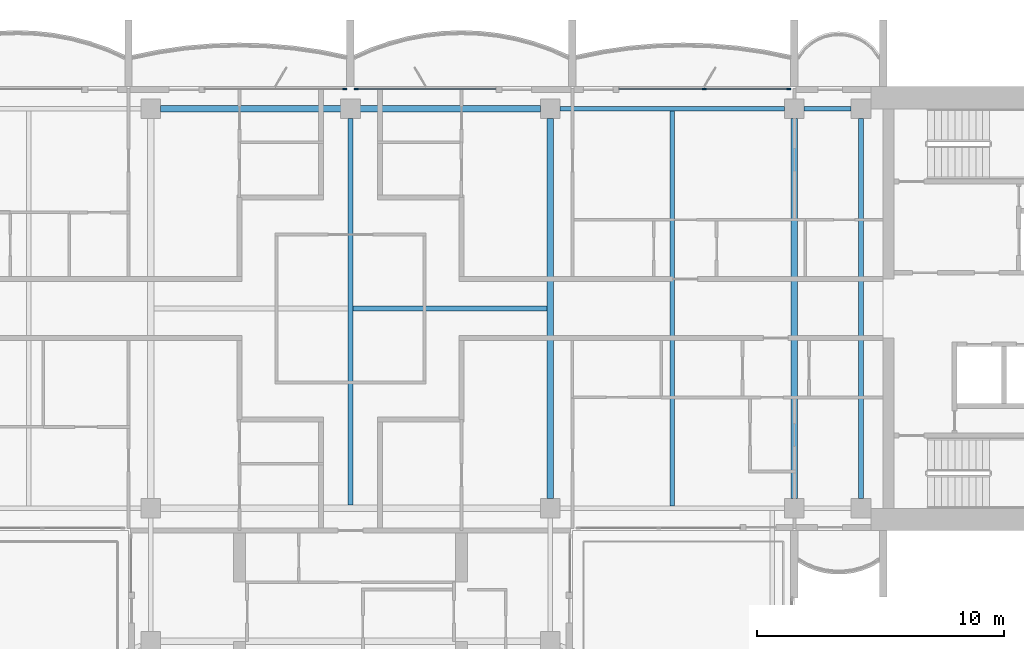
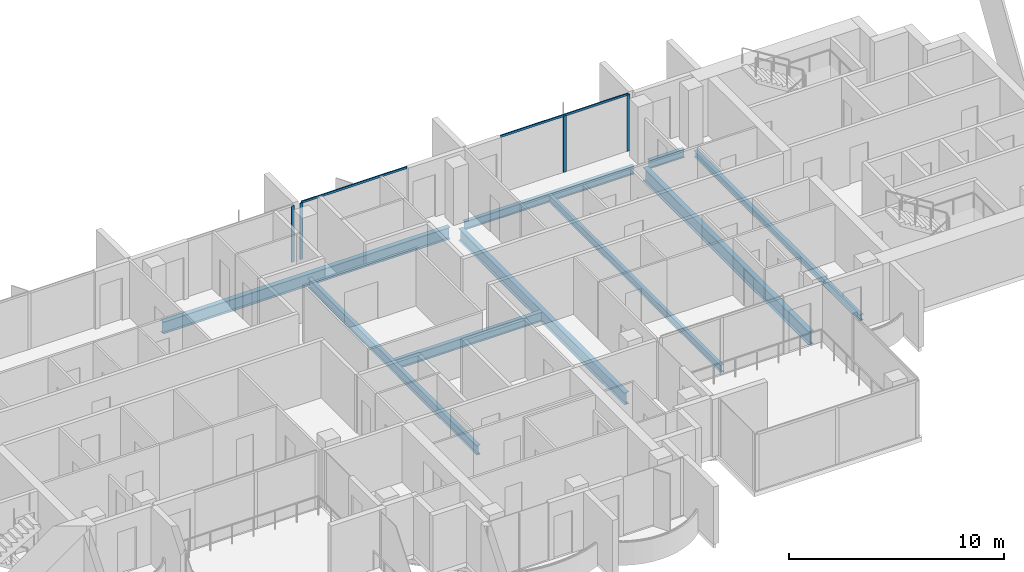
# One storey, part 4 of 16: 9 beams, 6 members, 3 elements without a shape of their own.
"""IFC4 building model written with IfcOpenShell, lengths in metres."""

from ifc_helpers import new_model, si_unit, direction, frame, origin, origin_2d, place, context, subcontext, project, spatial, rectangle, i_section, extrude, material, material_profile, profile_set, type_object, element, aggregate, save


model = new_model("IFC4")

# Units and contexts
model_context = context("Model", 3, precision=1e-05, world=origin(), true_north=direction((0.0, 1.0)))
body_context = subcontext(model_context, "Body", "Model", "MODEL_VIEW")
ifc_project = project(units=[si_unit("LENGTHUNIT", "METRE"), si_unit("AREAUNIT", "SQUARE_METRE"), si_unit("VOLUMEUNIT", "CUBIC_METRE"), si_unit("PLANEANGLEUNIT", "RADIAN"), si_unit("MASSUNIT", "GRAM", prefix="KILO")], contexts=[model_context])

# Site, building, storey
site_placement = place(None, origin())
site = spatial("IfcSite", under=ifc_project, at=site_placement, CompositionType="ELEMENT")
building_placement = place(site_placement, origin())
building = spatial("IfcBuilding", under=site, at=building_placement, Name="Perihelion Cross Residences", CompositionType="ELEMENT")
storey_placement = place(building_placement, frame((0.0, 0.0, 253.5)))
storey = spatial("IfcBuildingStorey", under=building, at=storey_placement, Name="L64", CompositionType="ELEMENT", Elevation=253.5)

# Curtain wall, members
ifc_material_1 = material(Name="Bronze anodised aluminium, tinted glazing", Category="aluminium")
curtain_wall_type = type_object("IfcCurtainWallType", Name="CW1", PredefinedType="NOTDEFINED", material=ifc_material_1)
curtain_wall_1_placement = place(storey_placement, origin())
curtain_wall_1 = element("IfcCurtainWall", 1, at=curtain_wall_1_placement, inside=storey, type_object=curtain_wall_type, Name="Curtain wall CW1 L64 east side north bay 2", PredefinedType="NOTDEFINED")
ifc_material_2 = material(Name="Bronze anodised aluminium", Category="aluminium")
ifc_material_profile_1 = material_profile(ifc_material_2, rectangle(XDim=0.06005859375, YDim=0.159912109375, at=origin_2d()), Name="CW1 mullion")
ifc_profile_set_1 = profile_set([ifc_material_profile_1], Name="Bronze anodised aluminium")
member_type_1 = type_object("IfcMemberType", Name="CW1 mullion", PredefinedType="MULLION", material=ifc_profile_set_1)
member_1_placement = place(storey_placement, frame((17.77001953125, 8.89990234375, 0.0), z_axis=(0.0, 0.0, 1.0), x_axis=(0.0, -1.0, 0.0)))
member_1 = element("IfcMember", 2, at=member_1_placement, type_object=member_type_1, Name="CW1 mullion 1", PredefinedType="MULLION", context=body_context, shape_type="SweptSolid", body=[
    extrude(rectangle(XDim=0.06005859375, YDim=0.159912109375, at=origin_2d()), origin(), (0.0, 0.0, 1.0), 3.18994140625),
])
member_2_placement = place(storey_placement, frame((14.35009765625, 8.89990234375, 0.0), z_axis=(0.0, 0.0, 1.0), x_axis=(0.0, -1.0, 0.0)))
member_2 = element("IfcMember", 3, at=member_2_placement, type_object=member_type_1, Name="CW1 mullion 2", PredefinedType="MULLION", context=body_context, shape_type="SweptSolid", body=[
    extrude(rectangle(XDim=0.06005859375, YDim=0.159912109375, at=origin_2d()), origin(), (0.0, 0.0, 1.0), 3.18994140625),
])

# Curtain wall, member
curtain_wall_2_placement = place(storey_placement, origin())
curtain_wall_2 = element("IfcCurtainWall", 4, at=curtain_wall_2_placement, inside=storey, type_object=curtain_wall_type, Name="Curtain wall CW1 L64 north side east bay 1", PredefinedType="NOTDEFINED")
member_3_placement = place(storey_placement, frame((0.22998046875, 8.89990234375, 0.0), z_axis=(0.0, 0.0, 1.0), x_axis=(0.0, -1.0, 0.0)))
member_3 = element("IfcMember", 5, at=member_3_placement, type_object=member_type_1, Name="CW1 mullion 2", PredefinedType="MULLION", context=body_context, shape_type="SweptSolid", body=[
    extrude(rectangle(XDim=0.06005859375, YDim=0.159912109375, at=origin_2d()), origin(), (0.0, 0.0, 1.0), 3.18994140625),
])

curtain_wall_3_placement = place(storey_placement, origin())
curtain_wall_3 = element("IfcCurtainWall", 6, at=curtain_wall_3_placement, inside=storey, type_object=curtain_wall_type, Name="Curtain wall CW1 L64 north side east bay 2", PredefinedType="NOTDEFINED")
member_4_placement = place(storey_placement, frame((-0.22998046875, 8.89990234375, 0.0), z_axis=(0.0, 0.0, 1.0), x_axis=(0.0, -1.0, 0.0)))
member_4 = element("IfcMember", 7, at=member_4_placement, type_object=member_type_1, Name="CW1 mullion 1", PredefinedType="MULLION", context=body_context, shape_type="SweptSolid", body=[
    extrude(rectangle(XDim=0.06005859375, YDim=0.159912109375, at=origin_2d()), origin(), (0.0, 0.0, 1.0), 3.18994140625),
])
aggregate(curtain_wall_3, [member_4])

# Member
ifc_material_3 = material(Name="Bronze anodised aluminium", Category="aluminium")
ifc_material_profile_2 = material_profile(ifc_material_3, rectangle(XDim=0.06005859375, YDim=0.1201171875, at=origin_2d()), Name="CW1 transom")
ifc_profile_set_2 = profile_set([ifc_material_profile_2], Name="Bronze anodised aluminium")
member_type_2 = type_object("IfcMemberType", Name="CW1 transom", PredefinedType="USERDEFINED", material=ifc_profile_set_2)
member_5_placement = place(storey_placement, frame((17.77001953125, 8.89990234375, 3.219970703125), z_axis=(-1.0, 0.0, 0.0), x_axis=(0.0, -1.0, 0.0)))
member_5 = element("IfcMember", 8, at=member_5_placement, type_object=member_type_2, Name="CW1 head transom", ObjectType="TRANSOM", PredefinedType="USERDEFINED", context=body_context, shape_type="SweptSolid", body=[
    extrude(rectangle(XDim=0.06005859375, YDim=0.1201171875, at=origin_2d()), origin(), (0.0, 0.0, 1.0), 6.8701171875),
])

aggregate(curtain_wall_1, [member_1, member_2, member_5])

member_6_placement = place(storey_placement, frame((5.89990234375, 8.89990234375, 3.219970703125), z_axis=(-1.0, 0.0, 0.0), x_axis=(0.0, -1.0, 0.0)))
member_6 = element("IfcMember", 9, at=member_6_placement, type_object=member_type_2, Name="CW1 head transom", ObjectType="TRANSOM", PredefinedType="USERDEFINED", context=body_context, shape_type="SweptSolid", body=[
    extrude(rectangle(XDim=0.06005859375, YDim=0.1201171875, at=origin_2d()), origin(), (0.0, 0.0, 1.0), 5.669921875),
])

aggregate(curtain_wall_2, [member_3, member_6])

# Beams
ifc_material_4 = material(Name="Steel S355", Category="steel")
ifc_material_profile_3 = material_profile(ifc_material_4, i_section(OverallWidth=0.205078125, OverallDepth=0.35302734375, WebThickness=0.009521484375, FlangeThickness=0.016845703125, at=origin_2d()), Name="W360x79")
ifc_profile_set_3 = profile_set([ifc_material_profile_3], Name="Steel S355")
beam_type_1 = type_object("IfcBeamType", Name="Core edge beam W360x79", PredefinedType="BEAM", material=ifc_profile_set_3)
beam_1_placement = place(storey_placement, frame((20.699951171875, -7.699951171875, -0.426513671875), z_axis=(0.0, 1.0, 0.0), x_axis=(-1.0, 0.0, 0.0)))
element("IfcBeam", 10, at=beam_1_placement, inside=storey, type_object=beam_type_1, Name="Core edge beam TB7 L64 no. 2", PredefinedType="BEAM", context=body_context, shape_type="SweptSolid", body=[
    extrude(i_section(OverallWidth=0.205078125, OverallDepth=0.35302734375, WebThickness=0.009521484375, FlangeThickness=0.016845703125, at=origin_2d()), origin(), (0.0, 0.0, 1.0), 15.39990234375),
])
ifc_material_5 = material(Name="Steel S355", Category="steel")
ifc_material_profile_4 = material_profile(ifc_material_5, i_section(OverallWidth=0.194091796875, OverallDepth=0.469970703125, WebThickness=0.0126953125, FlangeThickness=0.0205078125, at=origin_2d()), Name="W460x106")
ifc_profile_set_4 = profile_set([ifc_material_profile_4], Name="Steel S355")
beam_type_2 = type_object("IfcBeamType", Name="Edge beam W460x106", PredefinedType="SPANDREL", material=ifc_profile_set_4)
beam_2_placement = place(storey_placement, frame((20.300048828125, 8.10009765625, -0.485107421875), z_axis=(-1.0, 0.0, 0.0), x_axis=(0.0, -1.0, 0.0)))
element("IfcBeam", 11, at=beam_2_placement, inside=storey, type_object=beam_type_2, Name="Edge beam SB5 L64 no. 10", PredefinedType="SPANDREL", context=body_context, shape_type="SweptSolid", body=[
    extrude(i_section(OverallWidth=0.194091796875, OverallDepth=0.469970703125, WebThickness=0.0126953125, FlangeThickness=0.0205078125, at=origin_2d()), origin(), (0.0, 0.0, 1.0), 1.900146484375),
])
beam_3_placement = place(storey_placement, frame((17.60009765625, 8.10009765625, -0.485107421875), z_axis=(-1.0, 0.0, 0.0), x_axis=(0.0, -1.0, 0.0)))
element("IfcBeam", 12, at=beam_3_placement, inside=storey, type_object=beam_type_2, Name="Edge beam SB5 L64 no. 9", PredefinedType="SPANDREL", context=body_context, shape_type="SweptSolid", body=[
    extrude(i_section(OverallWidth=0.194091796875, OverallDepth=0.469970703125, WebThickness=0.0126953125, FlangeThickness=0.0205078125, at=origin_2d()), origin(), (0.0, 0.0, 1.0), 9.10009765625),
])
ifc_material_6 = material(Name="Steel S355", Category="steel")
ifc_material_profile_5 = material_profile(ifc_material_6, i_section(OverallWidth=0.26708984375, OverallDepth=0.75390625, WebThickness=0.01318359375, FlangeThickness=0.01708984375, at=origin_2d()), Name="W760x147")
ifc_profile_set_5 = profile_set([ifc_material_profile_5], Name="Steel S355")
beam_type_3 = type_object("IfcBeamType", Name="Floor girder W760x147", PredefinedType="BEAM", material=ifc_profile_set_5)
beam_4_placement = place(storey_placement, frame((18.0, -7.699951171875, -0.626953125), z_axis=(0.0, 1.0, 0.0), x_axis=(-1.0, 0.0, 0.0)))
element("IfcBeam", 13, at=beam_4_placement, inside=storey, type_object=beam_type_3, Name="Girder G5 L64 no. 2", PredefinedType="BEAM", context=body_context, shape_type="SweptSolid", body=[
    extrude(i_section(OverallWidth=0.26708984375, OverallDepth=0.75390625, WebThickness=0.01318359375, FlangeThickness=0.01708984375, at=origin_2d()), origin(), (0.0, 0.0, 1.0), 15.39990234375),
])
ifc_material_7 = material(Name="Steel S355", Category="steel")
ifc_material_profile_6 = material_profile(ifc_material_7, i_section(OverallWidth=0.177978515625, OverallDepth=0.406005859375, WebThickness=0.0078125, FlangeThickness=0.0126953125, at=origin_2d()), Name="W410x60")
ifc_profile_set_6 = profile_set([ifc_material_profile_6], Name="Steel S355")
beam_type_4 = type_object("IfcBeamType", Name="Floor joist W410x60", PredefinedType="JOIST", material=ifc_profile_set_6)
beam_5_placement = place(storey_placement, frame((13.050048828125, -8.0029296875, -0.452880859375), z_axis=(0.0, 1.0, 0.0), x_axis=(-1.0, 0.0, 0.0)))
element("IfcBeam", 14, at=beam_5_placement, inside=storey, type_object=beam_type_4, Name="Joist J6 L64 no. 2", PredefinedType="JOIST", context=body_context, shape_type="SweptSolid", body=[
    extrude(i_section(OverallWidth=0.177978515625, OverallDepth=0.406005859375, WebThickness=0.0078125, FlangeThickness=0.0126953125, at=origin_2d()), origin(), (0.0, 0.0, 1.0), 16.005859375),
])
ifc_material_8 = material(Name="Steel S355", Category="steel")
ifc_material_profile_7 = material_profile(ifc_material_8, i_section(OverallWidth=0.208984375, OverallDepth=0.532958984375, WebThickness=0.01025390625, FlangeThickness=0.015625, at=origin_2d()), Name="W530x92")
ifc_profile_set_7 = profile_set([ifc_material_profile_7], Name="Steel S355")
beam_type_5 = type_object("IfcBeamType", Name="Hub cross beam W530x92", PredefinedType="BEAM", material=ifc_profile_set_7)
beam_6_placement = place(storey_placement, frame((0.0, -7.972900390625, -0.5166015625), z_axis=(0.0, 1.0, 0.0), x_axis=(-1.0, 0.0, 0.0)))
element("IfcBeam", 15, at=beam_6_placement, inside=storey, type_object=beam_type_5, Name="Hub cross beam XB5 L64 no. 1", PredefinedType="BEAM", context=body_context, shape_type="SweptSolid", body=[
    extrude(i_section(OverallWidth=0.208984375, OverallDepth=0.532958984375, WebThickness=0.01025390625, FlangeThickness=0.015625, at=origin_2d()), origin(), (0.0, 0.0, 1.0), 15.6728515625),
])
beam_7_placement = place(storey_placement, frame((0.1044921875, 0.0, -0.5166015625), z_axis=(1.0, 0.0, 0.0), x_axis=(0.0, 1.0, 0.0)))
element("IfcBeam", 16, at=beam_7_placement, inside=storey, type_object=beam_type_5, Name="Hub cross beam XB5 L64 2 no. 1", PredefinedType="BEAM", context=body_context, shape_type="SweptSolid", body=[
    extrude(i_section(OverallWidth=0.208984375, OverallDepth=0.532958984375, WebThickness=0.01025390625, FlangeThickness=0.015625, at=origin_2d()), origin(), (0.0, 0.0, 1.0), 7.868408203125),
])
ifc_material_9 = material(Name="Steel S355", Category="steel")
ifc_material_profile_8 = material_profile(ifc_material_9, i_section(OverallWidth=0.25390625, OverallDepth=0.677978515625, WebThickness=0.01171875, FlangeThickness=0.016357421875, at=origin_2d()), Name="W690x125")
ifc_profile_set_8 = profile_set([ifc_material_profile_8], Name="Steel S355")
beam_type_6 = type_object("IfcBeamType", Name="Hub ring girder W690x125", PredefinedType="BEAM", material=ifc_profile_set_8)
for number, where, z_axis, x_axis, name in (
    (17, (8.10009765625, -7.699951171875, -0.589111328125), (0.0, 1.0, 0.0), (-1.0, 0.0, 0.0), "Hub ring girder RG5 L64 no. 3"),
    (18, (7.699951171875, 8.10009765625, -0.589111328125), (-1.0, 0.0, 0.0), (0.0, -1.0, 0.0), "Hub ring girder RG5 L64 no. 4"),
):
    element("IfcBeam", number, at=place(storey_placement, frame(where, z_axis=z_axis, x_axis=x_axis)), inside=storey, type_object=beam_type_6, Name=name, PredefinedType="BEAM", context=body_context, shape_type="SweptSolid", body=[
        extrude(i_section(OverallWidth=0.25390625, OverallDepth=0.677978515625, WebThickness=0.01171875, FlangeThickness=0.016357421875, at=origin_2d()), origin(), (0.0, 0.0, 1.0), 15.39990234375),
    ])

save(model, "model.ifc")
